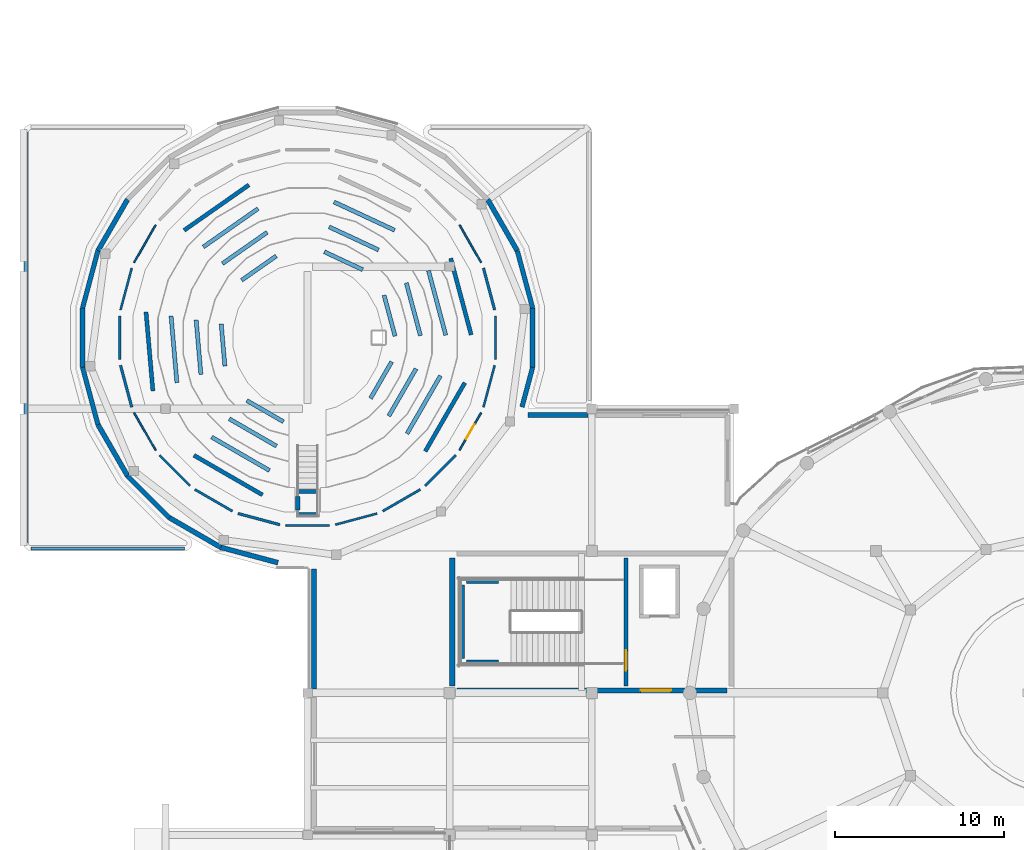
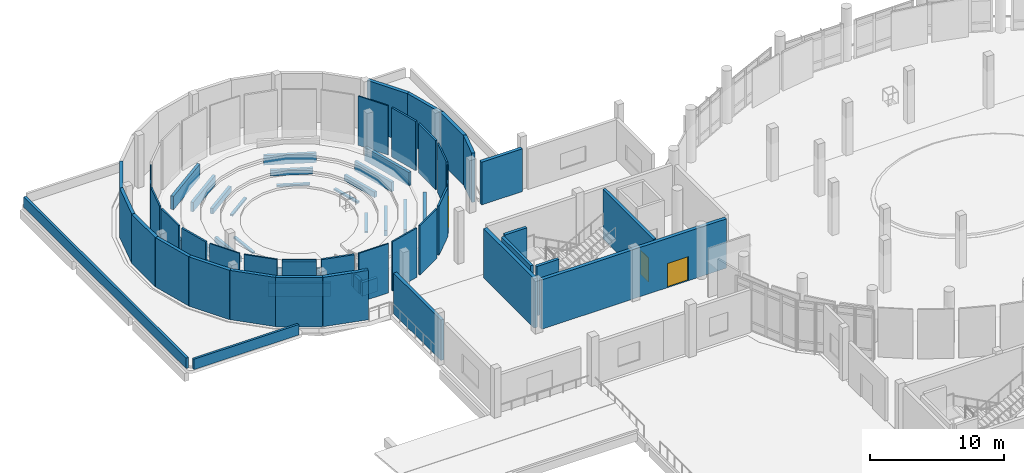
# One storey, part 44 of 63: 65 walls, 3 doors, 3 openings.
"""IFC4 building model written with IfcOpenShell, lengths in metres."""

from ifc_helpers import new_model, si_unit, derived_unit, direction, frame, frame_2d, origin, place, context, subcontext, project, spatial, rectangle, extrude, material, layer, layer_set, type_object, element, fill, save


model = new_model("IFC4")

# Units and contexts
model_context = context("Model", 3, precision=1e-05, world=origin(), true_north=direction((0.0, 1.0)))
body_context = subcontext(model_context, "Body", "Model", "MODEL_VIEW")
ifc_project = project(units=[si_unit("LENGTHUNIT", "METRE"), si_unit("AREAUNIT", "SQUARE_METRE"), si_unit("VOLUMEUNIT", "CUBIC_METRE"), si_unit("PLANEANGLEUNIT", "RADIAN"), si_unit("MASSUNIT", "GRAM", prefix="KILO"), derived_unit("THERMALTRANSMITTANCEUNIT", [(si_unit("POWERUNIT", "WATT"), 1), (si_unit("LENGTHUNIT", "METRE"), -2), (si_unit("THERMODYNAMICTEMPERATUREUNIT", "KELVIN"), -1)])], contexts=[model_context])

# Site, building, storey
site_placement = place(None, origin())
site = spatial("IfcSite", under=ifc_project, at=site_placement, CompositionType="ELEMENT")
building_placement = place(site_placement, origin())
building = spatial("IfcBuilding", under=site, at=building_placement, Name="Elbkamm Science Centre", CompositionType="ELEMENT")
storey_placement = place(building_placement, frame((0.0, 0.0, 5.10009765625)))
storey = spatial("IfcBuildingStorey", under=building, at=storey_placement, Name="L01", CompositionType="ELEMENT", Elevation=5.10009765625)

# Walls
ifc_material_1 = material(Name="Reinforced concrete C40/50", Category="concrete")
ifc_layer_1 = layer(ifc_material_1, 0.25)
ifc_layer_set_1 = layer_set([ifc_layer_1], Name="Reinforced concrete C40/50")
wall_type_1 = type_object("IfcWallType", Name="WL-CORE-250", PredefinedType="SHEAR", material=ifc_layer_set_1)
wall_1_placement = place(storey_placement, frame((25.93994140625, 69.219970703125, 0.0), z_axis=(0.0, 0.0, 1.0), x_axis=(0.0, 1.0, 0.0)))
element("IfcWall", 1, at=wall_1_placement, inside=storey, type_object=wall_type_1, Name="L01 ST-C1 Shaft Bearing Wall W", PredefinedType="SHEAR", context=body_context, shape_type="SweptSolid", body=[
    extrude(rectangle(XDim=4.360107421875, YDim=0.25, at=frame_2d((2.18017578125, 0.0))), origin(), (0.0, 0.0, 1.0), 4.5),
])
for number, where, z_axis, x_axis, name in (
    (2, (26.18994140625, 69.02001953125, 0.0), (0.0, 0.0, 1.0), (1.0, 0.0, 0.0), "L01 ST-C1 Shaft Bearing Wall S"),
    (3, (26.18994140625, 73.780029296875, 0.0), (0.0, 0.0, 1.0), (1.0, 0.0, 0.0), "L01 ST-C1 Shaft Bearing Wall N"),
):
    element("IfcWall", number, at=place(storey_placement, frame(where, z_axis=z_axis, x_axis=x_axis)), inside=storey, type_object=wall_type_1, Name=name, PredefinedType="SHEAR", context=body_context, shape_type="SweptSolid", body=[
        extrude(rectangle(XDim=1.89013671875, YDim=0.25, at=frame_2d((0.945068359375, 0.0))), origin(), (0.0, 0.0, 1.0), 4.5),
    ])

# Wall, opening, door
wall_2_placement = place(storey_placement, frame((35.6201171875, 67.6201171875, 0.0), z_axis=(0.0, 0.0, 1.0), x_axis=(0.0, 1.0, 0.0)))
wall_2 = element("IfcWall", 4, at=wall_2_placement, inside=storey, type_object=wall_type_1, Name="L01 C1 Stairwell Compartment Wall", PredefinedType="SHEAR", context=body_context, shape_type="SweptSolid", body=[
    extrude(rectangle(XDim=7.559814453125, YDim=0.25, at=frame_2d((3.77978515625, 0.0))), origin(), (0.0, 0.0, 1.0), 4.5),
])
opening_1_placement = place(wall_2_placement, frame((0.89990234375, 0.0, 0.0)))
opening_1 = element("IfcOpeningElement", 5, at=opening_1_placement, cuts=wall_2, Name="Opening DC-02", PredefinedType="OPENING", context=body_context, shape_type="SweptSolid", body=[
    extrude(rectangle(XDim=1.199951171875, YDim=2.199951171875, at=frame_2d((0.60009765625, 1.10009765625))), frame((0.0, 0.136962890625, 0.0), z_axis=(0.0, -1.0, 0.0), x_axis=(1.0, 0.0, 0.0)), (0.0, 0.0, 1.0), 0.27392578125),
])
ifc_material_2 = material(Name="Fire-rated steel acoustic door", Category="steel")
ifc_layer_2 = layer(ifc_material_2, 0.050048828125)
ifc_layer_set_2 = layer_set([ifc_layer_2], Name="Fire-rated steel acoustic door")
door_type_1 = type_object("IfcDoorType", Name="DR-CORE-1200x2200", OperationType="NOTDEFINED", PredefinedType="DOOR", material=ifc_layer_set_2)
door_1_placement = place(opening_1_placement, origin())
door_1 = element("IfcDoor", 6, at=door_1_placement, inside=storey, type_object=door_type_1, Name="L01 ST-C1 Stairwell Fire Door", OperationType="SINGLE_SWING_LEFT", OverallHeight=2.199951171875, OverallWidth=1.199951171875, PredefinedType="DOOR", context=body_context, shape_type="SweptSolid", body=[
    extrude(rectangle(XDim=1.199951171875, YDim=2.199951171875, at=frame_2d((0.60009765625, 1.10009765625))), frame((0.0, 0.02490234375, 0.0), z_axis=(0.0, -1.0, 0.0), x_axis=(1.0, 0.0, 0.0)), (0.0, 0.0, 1.0), 0.050048828125),
])
fill(opening_1, door_1)

# Walls
for number, where, z_axis, x_axis, name in (
    (7, (16.14990234375, 79.10009765625, 0.0), (0.0, 0.0, 1.0), (1.0, 0.0, 0.0), "Planetarium Aisle Landing Support Wall N"),
    (8, (16.14990234375, 77.75, 0.0), (0.0, 0.0, 1.0), (1.0, 0.0, 0.0), "Planetarium Aisle Landing Support Wall S"),
):
    element("IfcWall", number, at=place(storey_placement, frame(where, z_axis=z_axis, x_axis=x_axis)), inside=storey, type_object=wall_type_1, Name=name, PredefinedType="SHEAR", context=body_context, shape_type="SweptSolid", body=[
        extrude(rectangle(XDim=1.300048828125, YDim=0.25, at=frame_2d((0.64990234375, 0.0))), origin(), (0.0, 0.0, 1.0), 1.239990234375),
    ])
wall_3_placement = place(storey_placement, frame((16.219970703125, 78.02001953125, 0.0), z_axis=(0.0, 0.0, 1.0), x_axis=(0.0, 1.0, 0.0)))
element("IfcWall", 9, at=wall_3_placement, inside=storey, type_object=wall_type_1, Name="Planetarium Aisle Landing Support Wall W", PredefinedType="SHEAR", context=body_context, shape_type="SweptSolid", body=[
    extrude(rectangle(XDim=0.800048828125, YDim=0.25, at=frame_2d((0.39990234375, 0.0))), origin(), (0.0, 0.0, 1.0), 1.239990234375),
])

# Wall, opening, door
ifc_layer_3 = layer(ifc_material_1, 0.300048828125)
ifc_layer_set_3 = layer_set([ifc_layer_3], Name="Reinforced concrete C40/50")
wall_type_2 = type_object("IfcWallType", Name="WL-CORE-300", PredefinedType="SHEAR", material=ifc_layer_set_3)
wall_4_placement = place(storey_placement, frame((25.6201171875, 67.35009765625, 0.0), z_axis=(0.0, 0.0, 1.0), x_axis=(1.0, 0.0, 0.0)))
wall_4 = element("IfcWall", 10, at=wall_4_placement, inside=storey, type_object=wall_type_2, Name="L01 Core C1 Northwest Planetarium and Exhibition Core Shear Wall S", PredefinedType="SHEAR", context=body_context, shape_type="SweptSolid", body=[
    extrude(rectangle(XDim=15.9599609375, YDim=0.300048828125, at=frame_2d((7.97998046875, 0.0))), origin(), (0.0, 0.0, 1.0), 4.5),
])
opening_2_placement = place(wall_4_placement, frame((10.860107421875, 0.0, 0.0)))
opening_2 = element("IfcOpeningElement", 11, at=opening_2_placement, cuts=wall_4, Name="Opening DC-01", PredefinedType="OPENING", context=body_context, shape_type="SweptSolid", body=[
    extrude(rectangle(XDim=1.800048828125, YDim=2.199951171875, at=frame_2d((0.89990234375, 1.10009765625))), frame((0.0, 0.162109375, 0.0), z_axis=(0.0, -1.0, 0.0), x_axis=(1.0, 0.0, 0.0)), (0.0, 0.0, 1.0), 0.323974609375),
])
ifc_layer_4 = layer(ifc_material_2, 0.050048828125)
ifc_layer_set_4 = layer_set([ifc_layer_4], Name="Fire-rated steel acoustic door")
door_type_2 = type_object("IfcDoorType", Name="DR-CORE-1800x2200", OperationType="DOUBLE_DOOR_SINGLE_SWING", PredefinedType="DOOR", material=ifc_layer_set_4)
door_2_placement = place(opening_2_placement, origin())
door_2 = element("IfcDoor", 12, at=door_2_placement, inside=storey, type_object=door_type_2, Name="L01 C1 Core Lobby Fire Door", OperationType="DOUBLE_DOOR_SINGLE_SWING", OverallHeight=2.199951171875, OverallWidth=1.800048828125, PredefinedType="DOOR", context=body_context, shape_type="SweptSolid", body=[
    extrude(rectangle(XDim=1.800048828125, YDim=2.199951171875, at=frame_2d((0.89990234375, 1.10009765625))), frame((0.0, 0.02490234375, 0.0), z_axis=(0.0, -1.0, 0.0), x_axis=(1.0, 0.0, 0.0)), (0.0, 0.0, 1.0), 0.050048828125),
])
fill(opening_2, door_2)

# Walls
wall_5_placement = place(storey_placement, frame((25.35009765625, 67.6201171875, 0.0), z_axis=(0.0, 0.0, 1.0), x_axis=(0.0, 1.0, 0.0)))
element("IfcWall", 13, at=wall_5_placement, inside=storey, type_object=wall_type_2, Name="L01 Core C1 Northwest Planetarium and Exhibition Core Shear Wall W", PredefinedType="SHEAR", context=body_context, shape_type="SweptSolid", body=[
    extrude(rectangle(XDim=7.559814453125, YDim=0.300048828125, at=frame_2d((3.77978515625, 0.0))), origin(), (0.0, 0.0, 1.0), 4.5),
])
ifc_material_3 = material(Name="White precast concrete C40/50", Category="concrete")
ifc_layer_5 = layer(ifc_material_3, 0.27001953125)
ifc_layer_set_5 = layer_set([ifc_layer_5], Name="White precast concrete C40/50")
wall_type_3 = type_object("IfcWallType", Name="WL-EXT-270", PredefinedType="SOLIDWALL", material=ifc_layer_set_5)
for number, where, z_axis, x_axis, name in (
    (14, (8.63232421875, 77.555908203125, 0.0), (0.0, 0.0, 1.0), (-0.707106781187, 0.707106781187, 0.0), "L01 Exterior Wall 0163"),
    (15, (4.404541015625, 83.065673828125, 0.0), (0.0, 0.0, 1.0), (-0.258820868777, 0.965925337635, 0.0), "L01 Exterior Wall 0165"),
):
    element("IfcWall", number, at=place(storey_placement, frame(where, z_axis=z_axis, x_axis=x_axis)), inside=storey, type_object=wall_type_3, Name=name, PredefinedType="SOLIDWALL", context=body_context, shape_type="SweptSolid", body=[
        extrude(rectangle(XDim=3.50244140625, YDim=0.27001953125, at=frame_2d((1.751220703125, 0.0))), origin(), (0.0, 0.0, 1.0), 4.5),
    ])
for number, where, z_axis, x_axis, name in (
    (16, (3.498046875, 89.951416015625, 0.0), (0.0, 0.0, 1.0), (0.25883829669, 0.965920667636, 0.0), "L01 Exterior Wall 0167"),
    (17, (29.1953125, 93.334228515625, 0.0), (0.0, 0.0, 1.0), (0.25883829669, -0.965920667636, 0.0), "L01 Exterior Wall 0177"),
):
    element("IfcWall", number, at=place(storey_placement, frame(where, z_axis=z_axis, x_axis=x_axis)), inside=storey, type_object=wall_type_3, Name=name, PredefinedType="SOLIDWALL", context=body_context, shape_type="SweptSolid", body=[
        extrude(rectangle(XDim=3.502197265625, YDim=0.27001953125, at=frame_2d((1.7509765625, 0.0))), origin(), (0.0, 0.0, 1.0), 4.5),
    ])
wall_6_placement = place(storey_placement, frame((30.101806640625, 86.44873046875, 0.0), z_axis=(0.0, 0.0, 1.0), x_axis=(-0.258767848858, -0.965939542827, 0.0)))
element("IfcWall", 18, at=wall_6_placement, inside=storey, type_object=wall_type_3, Name="L01 Exterior Wall 0179", PredefinedType="SOLIDWALL", context=body_context, shape_type="SweptSolid", body=[
    extrude(rectangle(XDim=2.43310546875, YDim=0.27001953125, at=frame_2d((1.216552734375, 0.0))), origin(), (0.0, 0.0, 1.0), 4.5),
])
wall_7_placement = place(storey_placement, frame((17.179931640625, 67.439208984375, 0.0), z_axis=(0.0, 0.0, 1.0), x_axis=(0.0, 1.0, 0.0)))
element("IfcWall", 19, at=wall_7_placement, inside=storey, type_object=wall_type_3, Name="L01 Exterior Wall 0207", PredefinedType="SOLIDWALL", context=body_context, shape_type="SweptSolid", body=[
    extrude(rectangle(XDim=7.078857421875, YDim=0.27001953125, at=frame_2d((3.53955078125, 0.0))), origin(), (0.0, 0.0, 1.0), 3.699951171875),
])
ifc_layer_6 = layer(ifc_material_3, 0.2900390625)
ifc_layer_set_6 = layer_set([ifc_layer_6], Name="White precast concrete C40/50")
wall_type_4 = type_object("IfcWallType", Name="WL-EXT-290", PredefinedType="SOLIDWALL", material=ifc_layer_set_6)
wall_8_placement = place(storey_placement, frame((11.665771484375, 75.8046875, 0.0), z_axis=(0.0, 0.0, 1.0), x_axis=(-0.866042820954, 0.499969831364, 0.0)))
element("IfcWall", 20, at=wall_8_placement, inside=storey, type_object=wall_type_4, Name="L01 Exterior Wall 0162", PredefinedType="SOLIDWALL", context=body_context, shape_type="SweptSolid", body=[
    extrude(rectangle(XDim=3.502685546875, YDim=0.2900390625, at=frame_2d((1.75146484375, 0.0))), origin(), (0.0, 0.0, 1.0), 4.5),
])
wall_9_placement = place(storey_placement, frame((6.15576171875, 80.032470703125, 0.0), z_axis=(0.0, 0.0, 1.0), x_axis=(-0.500000013362, 0.86602539607, 0.0)))
element("IfcWall", 21, at=wall_9_placement, inside=storey, type_object=wall_type_4, Name="L01 Exterior Wall 0164", PredefinedType="SOLIDWALL", context=body_context, shape_type="SweptSolid", body=[
    extrude(rectangle(XDim=3.50244140625, YDim=0.2900390625, at=frame_2d((1.751220703125, 0.0))), origin(), (0.0, 0.0, 1.0), 4.5),
])
for number, where, z_axis, x_axis, name in (
    (22, (3.498046875, 86.44873046875, 0.0), (0.0, 0.0, 1.0), (0.0, 1.0, 0.0), "L01 Exterior Wall 0166"),
    (23, (4.404541015625, 93.334228515625, 0.0), (0.0, 0.0, 1.0), (0.499969831364, 0.866042820954, 0.0), "L01 Exterior Wall 0168"),
    (24, (27.444091796875, 96.36767578125, 0.0), (0.0, 0.0, 1.0), (0.499969831364, -0.866042820954, 0.0), "L01 Exterior Wall 0176"),
    (25, (30.101806640625, 89.951416015625, 0.0), (0.0, 0.0, 1.0), (0.0, -1.0, 0.0), "L01 Exterior Wall 0178"),
):
    element("IfcWall", number, at=place(storey_placement, frame(where, z_axis=z_axis, x_axis=x_axis)), inside=storey, type_object=wall_type_4, Name=name, PredefinedType="SOLIDWALL", context=body_context, shape_type="SweptSolid", body=[
        extrude(rectangle(XDim=3.502685546875, YDim=0.2900390625, at=frame_2d((1.75146484375, 0.0))), origin(), (0.0, 0.0, 1.0), 4.5),
    ])
wall_10_placement = place(storey_placement, frame((29.839111328125, 83.6201171875, 0.0), z_axis=(0.0, 0.0, 1.0), x_axis=(1.0, 0.0, 0.0)))
element("IfcWall", 26, at=wall_10_placement, inside=storey, type_object=wall_type_4, Name="L01 Exterior Wall 0180", PredefinedType="SOLIDWALL", context=body_context, shape_type="SweptSolid", body=[
    extrude(rectangle(XDim=3.521728515625, YDim=0.2900390625, at=frame_2d((1.7607421875, 0.0))), origin(), (0.0, 0.0, 1.0), 3.89990234375),
])
wall_11_placement = place(storey_placement, frame((15.048583984375, 74.898193359375, 0.0), z_axis=(0.0, 0.0, 1.0), x_axis=(-0.965920667636, 0.25883829669, 0.0)))
element("IfcWall", 27, at=wall_11_placement, inside=storey, type_object=wall_type_4, Name="L01 Exterior Wall 0208", PredefinedType="SOLIDWALL", context=body_context, shape_type="SweptSolid", body=[
    extrude(rectangle(XDim=3.502197265625, YDim=0.2900390625, at=frame_2d((1.7509765625, 0.0))), origin(), (0.0, 0.0, 1.0), 4.5),
])
ifc_layer_7 = layer(ifc_material_3, 0.18994140625)
ifc_layer_set_7 = layer_set([ifc_layer_7], Name="White precast concrete C40/50")
wall_type_5 = type_object("IfcWallType", Name="WL-PAR-190", PredefinedType="PARAPET", material=ifc_layer_set_7)
wall_12_placement = place(storey_placement, frame((9.51708984375, 75.739990234375, 0.0), z_axis=(0.0, 0.0, 1.0), x_axis=(-1.0, 0.0, 0.0)))
element("IfcWall", 28, at=wall_12_placement, inside=storey, type_object=wall_type_5, Name="L01 Roof Parapet Wall 027", PredefinedType="PARAPET", context=body_context, shape_type="SweptSolid", body=[
    extrude(rectangle(XDim=9.0634765625, YDim=0.18994140625, at=frame_2d((4.53173828125, 0.0))), origin(), (0.0, 0.0, 1.0), 0.949951171875),
])
ifc_layer_8 = layer(ifc_material_3, 0.2099609375)
ifc_layer_set_8 = layer_set([ifc_layer_8], Name="White precast concrete C40/50")
wall_type_6 = type_object("IfcWallType", Name="WL-PAR-210", PredefinedType="PARAPET", material=ifc_layer_set_8)
wall_13_placement = place(storey_placement, frame((0.139892578125, 76.053466796875, 0.0), z_axis=(0.0, 0.0, 1.0), x_axis=(0.0, 1.0, 0.0)))
element("IfcWall", 29, at=wall_13_placement, inside=storey, type_object=wall_type_6, Name="L01 Roof Parapet Wall 028", PredefinedType="PARAPET", context=body_context, shape_type="SweptSolid", body=[
    extrude(rectangle(XDim=24.29296875, YDim=0.2099609375, at=frame_2d((12.146484375, 0.0))), origin(), (0.0, 0.0, 1.0), 0.949951171875),
])

# Wall, opening, door
ifc_material_4 = material(Name="Drywall service partition", Category="gypsum")
ifc_layer_9 = layer(ifc_material_4, 0.10009765625)
ifc_layer_set_9 = layer_set([ifc_layer_9], Name="Drywall service partition")
wall_type_7 = type_object("IfcWallType", Name="WL-PART-100", PredefinedType="PARTITIONING", material=ifc_layer_set_9)
wall_14_placement = place(storey_placement, frame((27.0576171875, 83.758056640625, 0.0), z_axis=(0.0, 0.0, 1.0), x_axis=(-0.50004118441, -0.866001624648, 0.0)))
wall_14 = element("IfcWall", 30, at=wall_14_placement, inside=storey, type_object=wall_type_7, Name="L01 Planetarium Star Chamber Partition 0063", PredefinedType="PARTITIONING", context=body_context, shape_type="SweptSolid", body=[
    extrude(rectangle(XDim=2.563720703125, YDim=0.10009765625, at=frame_2d((1.28173828125, 0.0))), origin(), (0.0, 0.0, 1.0), 4.5),
])
opening_3_placement = place(wall_14_placement, frame((0.781982421875, 0.0, 0.0)))
opening_3 = element("IfcOpeningElement", 31, at=opening_3_placement, cuts=wall_14, Name="Opening DI-08", PredefinedType="OPENING", context=body_context, shape_type="SweptSolid", body=[
    extrude(rectangle(XDim=1.0, YDim=2.14990234375, at=frame_2d((0.5, 1.074951171875))), frame((0.0, 0.06201171875, 0.0), z_axis=(0.0, -1.0, 0.0), x_axis=(1.0, 0.0, 0.0)), (0.0, 0.0, 1.0), 0.1240234375),
])
ifc_material_5 = material(Name="Acoustic oak veneer door")
ifc_layer_10 = layer(ifc_material_5, 0.050048828125)
ifc_layer_set_10 = layer_set([ifc_layer_10], Name="Acoustic oak veneer door")
door_type_3 = type_object("IfcDoorType", Name="DR-INT-1000x2150", OperationType="NOTDEFINED", PredefinedType="DOOR", material=ifc_layer_set_10)
door_3_placement = place(opening_3_placement, origin())
door_3 = element("IfcDoor", 32, at=door_3_placement, inside=storey, type_object=door_type_3, Name="L01 Planetarium Star Chamber Door", OperationType="SINGLE_SWING_LEFT", OverallHeight=2.14990234375, OverallWidth=1.0, PredefinedType="DOOR", context=body_context, shape_type="SweptSolid", body=[
    extrude(rectangle(XDim=1.0, YDim=2.14990234375, at=frame_2d((0.5, 1.074951171875))), frame((0.0, 0.02490234375, 0.0), z_axis=(0.0, -1.0, 0.0), x_axis=(1.0, 0.0, 0.0)), (0.0, 0.0, 1.0), 0.050048828125),
])
fill(opening_3, door_3)

# Walls
for number, where, z_axis, x_axis, name in (
    (33, (18.081787109375, 77.095703125, 0.0), (0.0, 0.0, 1.0), (-1.0, 0.0, 0.0), "L01 Planetarium Star Chamber Partition 0067"),
    (34, (7.824462890625, 81.537841796875, 0.0), (0.0, 0.0, 1.0), (-0.50004118441, 0.866001624648, 0.0), "L01 Planetarium Star Chamber Partition 0071"),
    (35, (6.54248046875, 92.64208984375, 0.0), (0.0, 0.0, 1.0), (0.50004118441, 0.866001624648, 0.0), "L01 Planetarium Star Chamber Partition 0075"),
    (36, (25.775634765625, 94.8623046875, 0.0), (0.0, 0.0, 1.0), (0.50004118441, -0.866001624648, 0.0), "L01 Planetarium Star Chamber Partition 0083"),
):
    element("IfcWall", number, at=place(storey_placement, frame(where, z_axis=z_axis, x_axis=x_axis)), inside=storey, type_object=wall_type_7, Name=name, PredefinedType="PARTITIONING", context=body_context, shape_type="SweptSolid", body=[
        extrude(rectangle(XDim=2.563720703125, YDim=0.10009765625, at=frame_2d((1.28173828125, 0.0))), origin(), (0.0, 0.0, 1.0), 4.5),
    ])
ifc_material_6 = material(Name="Lightweight metal-stud gypsum partition", Category="gypsum")
ifc_layer_11 = layer(ifc_material_6, 0.125)
ifc_layer_set_11 = layer_set([ifc_layer_11], Name="Lightweight metal-stud gypsum partition")
wall_type_8 = type_object("IfcWallType", Name="WL-PART-125", PredefinedType="PARTITIONING", material=ifc_layer_set_11)
for number, where, z_axis, x_axis, name in (
    (37, (20.912109375, 77.805908203125, 0.0), (0.0, 0.0, 1.0), (-0.965921270769, -0.258836045938, 0.0), "L01 Planetarium Star Chamber Partition 0066"),
    (38, (9.8544921875, 79.441650390625, 0.0), (0.0, 0.0, 1.0), (-0.707059166172, 0.707154392995, 0.0), "L01 Planetarium Star Chamber Partition 0070"),
):
    element("IfcWall", number, at=place(storey_placement, frame(where, z_axis=z_axis, x_axis=x_axis)), inside=storey, type_object=wall_type_8, Name=name, PredefinedType="PARTITIONING", context=body_context, shape_type="SweptSolid", body=[
        extrude(rectangle(XDim=2.563720703125, YDim=0.125, at=frame_2d((1.28173828125, 0.0))), origin(), (0.0, 0.0, 1.0), 4.5),
    ])
wall_15_placement = place(storey_placement, frame((5.742431640625, 89.835693359375, 0.0), z_axis=(0.0, 0.0, 1.0), x_axis=(0.258812239014, 0.965927649949, 0.0)))
element("IfcWall", 39, at=wall_15_placement, inside=storey, type_object=wall_type_8, Name="L01 Planetarium Star Chamber Partition 0074", PredefinedType="PARTITIONING", context=body_context, shape_type="SweptSolid", body=[
    extrude(rectangle(XDim=2.56396484375, YDim=0.125, at=frame_2d((1.281982421875, 0.0))), origin(), (0.0, 0.0, 1.0), 4.5),
])
wall_16_placement = place(storey_placement, frame((27.857666015625, 86.564208984375, 0.0), z_axis=(0.0, 0.0, 1.0), x_axis=(-0.258836045938, -0.965921270769, 0.0)))
element("IfcWall", 40, at=wall_16_placement, inside=storey, type_object=wall_type_8, Name="L01 Planetarium Star Chamber Partition 0086", PredefinedType="PARTITIONING", context=body_context, shape_type="SweptSolid", body=[
    extrude(rectangle(XDim=2.563720703125, YDim=0.125, at=frame_2d((1.28173828125, 0.0))), origin(), (0.0, 0.0, 1.0), 4.5),
])
ifc_material_7 = material(Name="Acoustic metal-stud gypsum partition", Category="gypsum")
ifc_layer_12 = layer(ifc_material_7, 0.139892578125)
ifc_layer_set_12 = layer_set([ifc_layer_12], Name="Acoustic metal-stud gypsum partition")
wall_type_9 = type_object("IfcWallType", Name="WL-PART-140", PredefinedType="PARTITIONING", material=ifc_layer_set_12)
for number, where, z_axis, x_axis, name in (
    (41, (23.462158203125, 79.224365234375, 0.0), (0.0, 0.0, 1.0), (-0.866001624648, -0.50004118441, 0.0), "L01 Planetarium Star Chamber Partition 0065"),
    (42, (12.35791015625, 77.9423828125, 0.0), (0.0, 0.0, 1.0), (-0.866001624648, 0.50004118441, 0.0), "L01 Planetarium Star Chamber Partition 0069"),
    (43, (5.69580078125, 86.918212890625, 0.0), (0.0, 0.0, 1.0), (0.0, 1.0, 0.0), "L01 Planetarium Star Chamber Partition 0073"),
    (44, (27.904296875, 89.48193359375, 0.0), (0.0, 0.0, 1.0), (0.0, -1.0, 0.0), "L01 Planetarium Star Chamber Partition 0085"),
):
    element("IfcWall", number, at=place(storey_placement, frame(where, z_axis=z_axis, x_axis=x_axis)), inside=storey, type_object=wall_type_9, Name=name, PredefinedType="PARTITIONING", context=body_context, shape_type="SweptSolid", body=[
        extrude(rectangle(XDim=2.563720703125, YDim=0.139892578125, at=frame_2d((1.28173828125, 0.0))), origin(), (0.0, 0.0, 1.0), 4.5),
    ])
ifc_layer_13 = layer(ifc_material_7, 0.159912109375)
ifc_layer_set_13 = layer_set([ifc_layer_13], Name="Acoustic metal-stud gypsum partition")
wall_type_10 = type_object("IfcWallType", Name="WL-PART-160", PredefinedType="PARTITIONING", material=ifc_layer_set_13)
for number, where, z_axis, x_axis, name in (
    (45, (25.558349609375, 81.254638671875, 0.0), (0.0, 0.0, 1.0), (-0.707106781187, -0.707106781187, 0.0), "L01 Planetarium Star Chamber Partition 0064"),
    (46, (15.164306640625, 77.142333984375, 0.0), (0.0, 0.0, 1.0), (-0.965927649949, 0.258812239014, 0.0), "L01 Planetarium Star Chamber Partition 0068"),
):
    element("IfcWall", number, at=place(storey_placement, frame(where, z_axis=z_axis, x_axis=x_axis)), inside=storey, type_object=wall_type_10, Name=name, PredefinedType="PARTITIONING", context=body_context, shape_type="SweptSolid", body=[
        extrude(rectangle(XDim=2.56396484375, YDim=0.159912109375, at=frame_2d((1.281982421875, 0.0))), origin(), (0.0, 0.0, 1.0), 4.5),
    ])
wall_17_placement = place(storey_placement, frame((6.406005859375, 84.087890625, 0.0), z_axis=(0.0, 0.0, 1.0), x_axis=(-0.258836045938, 0.965921270769, 0.0)))
element("IfcWall", 47, at=wall_17_placement, inside=storey, type_object=wall_type_10, Name="L01 Planetarium Star Chamber Partition 0072", PredefinedType="PARTITIONING", context=body_context, shape_type="SweptSolid", body=[
    extrude(rectangle(XDim=2.563720703125, YDim=0.159912109375, at=frame_2d((1.28173828125, 0.0))), origin(), (0.0, 0.0, 1.0), 4.5),
])
wall_18_placement = place(storey_placement, frame((27.194091796875, 92.312255859375, 0.0), z_axis=(0.0, 0.0, 1.0), x_axis=(0.258812239014, -0.965927649949, 0.0)))
element("IfcWall", 48, at=wall_18_placement, inside=storey, type_object=wall_type_10, Name="L01 Planetarium Star Chamber Partition 0084", PredefinedType="PARTITIONING", context=body_context, shape_type="SweptSolid", body=[
    extrude(rectangle(XDim=2.56396484375, YDim=0.159912109375, at=frame_2d((1.281982421875, 0.0))), origin(), (0.0, 0.0, 1.0), 4.5),
])
ifc_layer_14 = layer(ifc_material_1, 0.239990234375)
ifc_layer_set_14 = layer_set([ifc_layer_14], Name="Reinforced concrete C40/50")
wall_type_11 = type_object("IfcWallType", Name="WL-RISER-240", PredefinedType="SOLIDWALL", material=ifc_layer_set_14)
wall_19_placement = place(storey_placement, frame((26.468505859375, 88.368896484375, 0.0), z_axis=(0.0, 0.0, 1.0), x_axis=(-0.258818679906, 0.965925924143, 0.0)))
element("IfcWall", 49, at=wall_19_placement, inside=storey, type_object=wall_type_11, Name="Planetarium Tier 1 Riser Support Wall 1", PredefinedType="SOLIDWALL", context=body_context, shape_type="SweptSolid", body=[
    extrude(rectangle(XDim=4.6787109375, YDim=0.239990234375, at=frame_2d((2.33935546875, 0.0))), origin(), (0.0, 0.0, 1.0), 1.22998046875),
])
wall_20_placement = place(storey_placement, frame((13.334716796875, 97.227783203125, 0.0), z_axis=(0.0, 0.0, 1.0), x_axis=(-0.819165727663, -0.573556893972, 0.0)))
element("IfcWall", 50, at=wall_20_placement, inside=storey, type_object=wall_type_11, Name="Planetarium Tier 1 Riser Support Wall 3", PredefinedType="SOLIDWALL", context=body_context, shape_type="SweptSolid", body=[
    extrude(rectangle(XDim=4.678955078125, YDim=0.239990234375, at=frame_2d((2.33935546875, 0.0))), origin(), (0.0, 0.0, 1.0), 1.22998046875),
])
for number, where, z_axis, x_axis, name in (
    (51, (7.2490234375, 89.712646484375, 0.0), (0.0, 0.0, 1.0), (0.087142999712, -0.996195812881, 0.0), "Planetarium Tier 1 Riser Support Wall 4"),
    (52, (10.082763671875, 81.243896484375, 0.0), (0.0, 0.0, 1.0), (0.866018739521, -0.500011542666, 0.0), "Planetarium Tier 1 Riser Support Wall 5"),
    (53, (23.756103515625, 81.482666015625, 0.0), (0.0, 0.0, 1.0), (0.499988947537, 0.866031784833, 0.0), "Planetarium Tier 1 Riser Support Wall 6"),
):
    element("IfcWall", number, at=place(storey_placement, frame(where, z_axis=z_axis, x_axis=x_axis)), inside=storey, type_object=wall_type_11, Name=name, PredefinedType="SOLIDWALL", context=body_context, shape_type="SweptSolid", body=[
        extrude(rectangle(XDim=4.6787109375, YDim=0.239990234375, at=frame_2d((2.33935546875, 0.0))), origin(), (0.0, 0.0, 1.0), 1.22998046875),
    ])
wall_21_placement = place(storey_placement, frame((24.96875, 88.342529296875, 0.0), z_axis=(0.0, 0.0, 1.0), x_axis=(-0.258834869978, 0.965921585888, 0.0)))
element("IfcWall", 54, at=wall_21_placement, inside=storey, type_object=wall_type_11, Name="Planetarium Tier 2 Riser Support Wall 1", PredefinedType="SOLIDWALL", context=body_context, shape_type="SweptSolid", body=[
    extrude(rectangle(XDim=3.953125, YDim=0.239990234375, at=frame_2d((1.9765625, 0.0))), origin(), (0.0, 0.0, 1.0), 0.869873046875),
])
for number, where, z_axis, x_axis, name in (
    (55, (21.94140625, 94.54931640625, 0.0), (0.0, 0.0, 1.0), (-0.9062982906, 0.422638626317, 0.0), "Planetarium Tier 2 Riser Support Wall 2"),
    (56, (13.8720703125, 95.827392578125, 0.0), (0.0, 0.0, 1.0), (-0.819147766325, -0.573582545869, 0.0), "Planetarium Tier 2 Riser Support Wall 3"),
):
    element("IfcWall", number, at=place(storey_placement, frame(where, z_axis=z_axis, x_axis=x_axis)), inside=storey, type_object=wall_type_11, Name=name, PredefinedType="SOLIDWALL", context=body_context, shape_type="SweptSolid", body=[
        extrude(rectangle(XDim=3.952880859375, YDim=0.239990234375, at=frame_2d((1.9765625, 0.0))), origin(), (0.0, 0.0, 1.0), 0.869873046875),
    ])
for number, where, z_axis, x_axis, name in (
    (57, (8.730712890625, 89.47802734375, 0.0), (0.0, 0.0, 1.0), (0.087143966069, -0.996195728347, 0.0), "Planetarium Tier 2 Riser Support Wall 4"),
    (58, (11.12451171875, 82.322998046875, 0.0), (0.0, 0.0, 1.0), (0.866030292833, -0.499991531824, 0.0), "Planetarium Tier 2 Riser Support Wall 5"),
):
    element("IfcWall", number, at=place(storey_placement, frame(where, z_axis=z_axis, x_axis=x_axis)), inside=storey, type_object=wall_type_11, Name=name, PredefinedType="SOLIDWALL", context=body_context, shape_type="SweptSolid", body=[
        extrude(rectangle(XDim=3.953125, YDim=0.239990234375, at=frame_2d((1.9765625, 0.0))), origin(), (0.0, 0.0, 1.0), 0.869873046875),
    ])
wall_22_placement = place(storey_placement, frame((22.677001953125, 82.524658203125, 0.0), z_axis=(0.0, 0.0, 1.0), x_axis=(0.500018274647, 0.866014852655, 0.0)))
element("IfcWall", 59, at=wall_22_placement, inside=storey, type_object=wall_type_11, Name="Planetarium Tier 2 Riser Support Wall 6", PredefinedType="SOLIDWALL", context=body_context, shape_type="SweptSolid", body=[
    extrude(rectangle(XDim=3.952880859375, YDim=0.239990234375, at=frame_2d((1.9765625, 0.0))), origin(), (0.0, 0.0, 1.0), 0.869873046875),
])
wall_23_placement = place(storey_placement, frame((23.468994140625, 88.31640625, 0.0), z_axis=(0.0, 0.0, 1.0), x_axis=(-0.25880667238, 0.965929141465, 0.0)))
element("IfcWall", 60, at=wall_23_placement, inside=storey, type_object=wall_type_11, Name="Planetarium Tier 3 Riser Support Wall 1", PredefinedType="SOLIDWALL", context=body_context, shape_type="SweptSolid", body=[
    extrude(rectangle(XDim=3.22705078125, YDim=0.239990234375, at=frame_2d((1.613525390625, 0.0))), origin(), (0.0, 0.0, 1.0), 0.510009765625),
])
for number, where, z_axis, x_axis, name in (
    (61, (20.99755859375, 93.383544921875, 0.0), (0.0, 0.0, 1.0), (-0.906289408183, 0.422657673082, 0.0), "Planetarium Tier 3 Riser Support Wall 2"),
    (62, (14.40966796875, 94.427001953125, 0.0), (0.0, 0.0, 1.0), (-0.819146613936, -0.57358419162, 0.0), "Planetarium Tier 3 Riser Support Wall 3"),
):
    element("IfcWall", number, at=place(storey_placement, frame(where, z_axis=z_axis, x_axis=x_axis)), inside=storey, type_object=wall_type_11, Name=name, PredefinedType="SOLIDWALL", context=body_context, shape_type="SweptSolid", body=[
        extrude(rectangle(XDim=3.227294921875, YDim=0.239990234375, at=frame_2d((1.61376953125, 0.0))), origin(), (0.0, 0.0, 1.0), 0.510009765625),
    ])
wall_24_placement = place(storey_placement, frame((10.212158203125, 89.243408203125, 0.0), z_axis=(0.0, 0.0, 1.0), x_axis=(0.08715193469, -0.996195031246, 0.0)))
element("IfcWall", 63, at=wall_24_placement, inside=storey, type_object=wall_type_11, Name="Planetarium Tier 3 Riser Support Wall 4", PredefinedType="SOLIDWALL", context=body_context, shape_type="SweptSolid", body=[
    extrude(rectangle(XDim=3.22705078125, YDim=0.239990234375, at=frame_2d((1.613525390625, 0.0))), origin(), (0.0, 0.0, 1.0), 0.510009765625),
])
for number, where, z_axis, x_axis, name in (
    (64, (12.16650390625, 83.402099609375, 0.0), (0.0, 0.0, 1.0), (0.866009217892, -0.500028033741, 0.0), "Planetarium Tier 3 Riser Support Wall 5"),
    (65, (21.597900390625, 83.566650390625, 0.0), (0.0, 0.0, 1.0), (0.500028033741, 0.866009217892, 0.0), "Planetarium Tier 3 Riser Support Wall 6"),
):
    element("IfcWall", number, at=place(storey_placement, frame(where, z_axis=z_axis, x_axis=x_axis)), inside=storey, type_object=wall_type_11, Name=name, PredefinedType="SOLIDWALL", context=body_context, shape_type="SweptSolid", body=[
        extrude(rectangle(XDim=3.227294921875, YDim=0.239990234375, at=frame_2d((1.61376953125, 0.0))), origin(), (0.0, 0.0, 1.0), 0.510009765625),
    ])
for number, where, z_axis, x_axis, name in (
    (66, (21.96923828125, 88.290283203125, 0.0), (0.0, 0.0, 1.0), (-0.258828774145, 0.965923219348, 0.0), "Planetarium Tier 4 Riser Support Wall 1"),
    (67, (20.0537109375, 92.2177734375, 0.0), (0.0, 0.0, 1.0), (-0.906312755675, 0.422607606297, 0.0), "Planetarium Tier 4 Riser Support Wall 2"),
    (68, (14.947265625, 93.026611328125, 0.0), (0.0, 0.0, 1.0), (-0.81914479288, -0.573586792298, 0.0), "Planetarium Tier 4 Riser Support Wall 3"),
    (69, (11.693603515625, 89.0087890625, 0.0), (0.0, 0.0, 1.0), (0.087156053796, -0.996194670879, 0.0), "Planetarium Tier 4 Riser Support Wall 4"),
):
    element("IfcWall", number, at=place(storey_placement, frame(where, z_axis=z_axis, x_axis=x_axis)), inside=storey, type_object=wall_type_11, Name=name, PredefinedType="SOLIDWALL", context=body_context, shape_type="SweptSolid", body=[
        extrude(rectangle(XDim=2.50146484375, YDim=0.239990234375, at=frame_2d((1.250732421875, 0.0))), origin(), (0.0, 0.0, 1.0), 0.14990234375),
    ])
wall_25_placement = place(storey_placement, frame((13.20849609375, 84.48095703125, 0.0), z_axis=(0.0, 0.0, 1.0), x_axis=(0.866042572681, -0.49997026142, 0.0)))
element("IfcWall", 70, at=wall_25_placement, inside=storey, type_object=wall_type_11, Name="Planetarium Tier 4 Riser Support Wall 5", PredefinedType="SOLIDWALL", context=body_context, shape_type="SweptSolid", body=[
    extrude(rectangle(XDim=2.501708984375, YDim=0.239990234375, at=frame_2d((1.2509765625, 0.0))), origin(), (0.0, 0.0, 1.0), 0.14990234375),
])
wall_26_placement = place(storey_placement, frame((20.51904296875, 84.608642578125, 0.0), z_axis=(0.0, 0.0, 1.0), x_axis=(0.500012521841, 0.866018174175, 0.0)))
element("IfcWall", 71, at=wall_26_placement, inside=storey, type_object=wall_type_11, Name="Planetarium Tier 4 Riser Support Wall 6", PredefinedType="SOLIDWALL", context=body_context, shape_type="SweptSolid", body=[
    extrude(rectangle(XDim=2.50146484375, YDim=0.239990234375, at=frame_2d((1.250732421875, 0.0))), origin(), (0.0, 0.0, 1.0), 0.14990234375),
])

save(model, "model.ifc")
